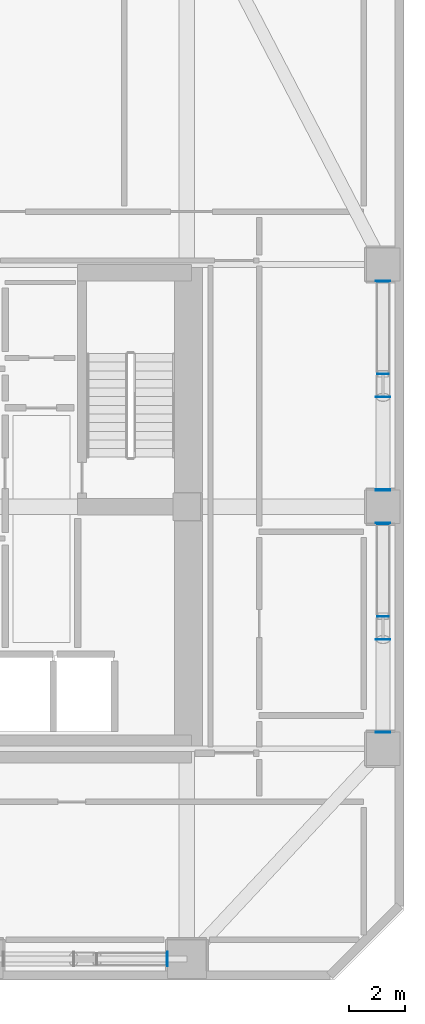
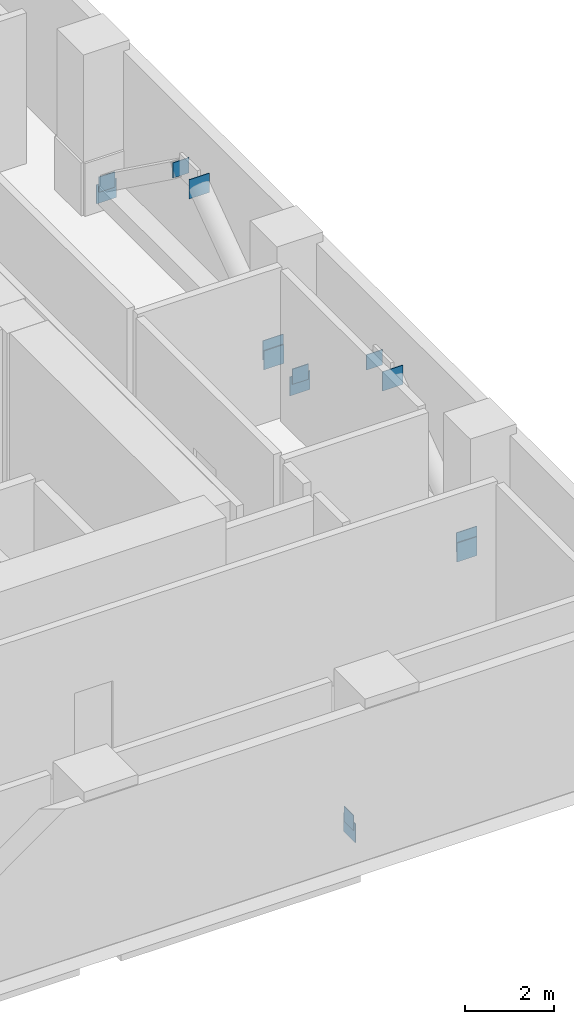
# One storey, part 5 of 11: 14 plates.
"""IFC4 building model written with IfcOpenShell, lengths in metres."""

from ifc_helpers import new_model, si_unit, direction, frame, origin, origin_2d, place, context, subcontext, project, spatial, rectangle, extrude, material, layer, layer_set, type_object, element, save


model = new_model("IFC4")

# Units and contexts
model_context = context("Model", 3, precision=1e-05, world=origin(), true_north=direction((0.0, 1.0)))
body_context = subcontext(model_context, "Body", "Model", "MODEL_VIEW")
ifc_project = project(units=[si_unit("LENGTHUNIT", "METRE"), si_unit("AREAUNIT", "SQUARE_METRE"), si_unit("VOLUMEUNIT", "CUBIC_METRE"), si_unit("PLANEANGLEUNIT", "RADIAN"), si_unit("MASSUNIT", "GRAM", prefix="KILO")], contexts=[model_context])

# Site, building, storey
site_placement = place(None, origin())
site = spatial("IfcSite", under=ifc_project, at=site_placement, CompositionType="ELEMENT")
building_placement = place(site_placement, origin())
building = spatial("IfcBuilding", under=site, at=building_placement, Name="Solanera Arch Residences", CompositionType="ELEMENT")
storey_placement = place(building_placement, frame((0.0, 0.0, 88.39990234375)))
storey = spatial("IfcBuildingStorey", under=building, at=storey_placement, Name="L25", CompositionType="ELEMENT", Elevation=88.39990234375)

# Plates
ifc_material = material(Name="Steel S355 (ASTM A992 / A572 Grade 50)", Category="steel")
ifc_layer = layer(ifc_material, 0.02001953125)
ifc_layer_set = layer_set([ifc_layer], Name="Steel S355 (ASTM A992 / A572 Grade 50)")
plate_type = type_object("IfcPlateType", Name="End Cap Plate EC-20", PredefinedType="USERDEFINED", material=ifc_layer_set)
plate_1_placement = place(storey_placement, frame((35.81005859375, 14.449951171875, 0.190185546875), z_axis=(0.0, 0.0, 1.0), x_axis=(1.0, 0.0, 0.0)))
element("IfcPlate", 1, at=plate_1_placement, inside=storey, type_object=plate_type, Name="Hollow Section End Cap 128", ObjectType="STIFFENER", PredefinedType="USERDEFINED", context=body_context, shape_type="SweptSolid", body=[
    extrude(rectangle(XDim=0.02001953125, YDim=0.52001953125, at=origin_2d()), origin(), (0.0, 0.0, 1.0), 0.52001953125),
])
plate_2_placement = place(storey_placement, frame((35.787109375, 14.449951171875, 0.503173828125), z_axis=(0.0, 0.0, 1.0), x_axis=(1.0, 0.0, 0.0)))
element("IfcPlate", 2, at=plate_2_placement, inside=storey, type_object=plate_type, Name="Hollow Section End Cap 131", ObjectType="STIFFENER", PredefinedType="USERDEFINED", context=body_context, shape_type="SweptSolid", body=[
    extrude(rectangle(XDim=0.02001953125, YDim=0.419921875, at=origin_2d()), origin(), (0.0, 0.0, 1.0), 0.419921875),
])
for number, where, z_axis, x_axis, name in (
    (3, (43.550048828125, 22.590087890625, 0.190185546875), (0.0, 0.0, 1.0), (0.0, -1.0, 0.0), "Hollow Section End Cap 157"),
    (4, (43.550048828125, 30.110107421875, 0.190185546875), (0.0, 0.0, 1.0), (0.0, 1.0, 0.0), "Hollow Section End Cap 158"),
):
    element("IfcPlate", number, at=place(storey_placement, frame(where, z_axis=z_axis, x_axis=x_axis)), inside=storey, type_object=plate_type, Name=name, ObjectType="STIFFENER", PredefinedType="USERDEFINED", context=body_context, shape_type="SweptSolid", body=[
        extrude(rectangle(XDim=0.02001953125, YDim=0.52001953125, at=origin_2d()), origin(), (0.0, 0.0, 1.0), 0.52001953125),
    ])
for number, where, z_axis, x_axis, name in (
    (5, (43.550048828125, 22.612060546875, 0.4501953125), (0.0, 0.0, 1.0), (0.0, -1.0, 0.0), "Hollow Section End Cap 159"),
    (6, (43.550048828125, 25.93798828125, 2.85693359375), (0.0, 0.0, 1.0), (0.0, 1.0, 0.0), "Hollow Section End Cap 160"),
):
    element("IfcPlate", number, at=place(storey_placement, frame(where, z_axis=z_axis, x_axis=x_axis)), inside=storey, type_object=plate_type, Name=name, ObjectType="STIFFENER", PredefinedType="USERDEFINED", context=body_context, shape_type="SweptSolid", body=[
        extrude(rectangle(XDim=0.02001953125, YDim=0.528076171875, at=origin_2d()), origin(), (0.0, 0.0, 1.0), 0.528076171875),
    ])
for number, where, z_axis, x_axis, name in (
    (7, (43.550048828125, 30.087890625, 0.504150390625), (0.0, 0.0, 1.0), (0.0, 1.0, 0.0), "Hollow Section End Cap 161"),
    (8, (43.550048828125, 26.761962890625, 2.9111328125), (0.0, 0.0, 1.0), (0.0, -1.0, 0.0), "Hollow Section End Cap 162"),
):
    element("IfcPlate", number, at=place(storey_placement, frame(where, z_axis=z_axis, x_axis=x_axis)), inside=storey, type_object=plate_type, Name=name, ObjectType="STIFFENER", PredefinedType="USERDEFINED", context=body_context, shape_type="SweptSolid", body=[
        extrude(rectangle(XDim=0.02001953125, YDim=0.419921875, at=origin_2d()), origin(), (0.0, 0.0, 1.0), 0.419921875),
    ])
for number, where, z_axis, x_axis, name in (
    (9, (43.550048828125, 31.2900390625, 0.190185546875), (0.0, 0.0, 1.0), (0.0, -1.0, 0.0), "Hollow Section End Cap 163"),
    (10, (43.550048828125, 38.81005859375, 0.190185546875), (0.0, 0.0, 1.0), (0.0, 1.0, 0.0), "Hollow Section End Cap 164"),
):
    element("IfcPlate", number, at=place(storey_placement, frame(where, z_axis=z_axis, x_axis=x_axis)), inside=storey, type_object=plate_type, Name=name, ObjectType="STIFFENER", PredefinedType="USERDEFINED", context=body_context, shape_type="SweptSolid", body=[
        extrude(rectangle(XDim=0.02001953125, YDim=0.52001953125, at=origin_2d()), origin(), (0.0, 0.0, 1.0), 0.52001953125),
    ])
for number, where, z_axis, x_axis, name in (
    (11, (43.550048828125, 31.31201171875, 0.4501953125), (0.0, 0.0, 1.0), (0.0, -1.0, 0.0), "Hollow Section End Cap 165"),
    (12, (43.550048828125, 34.637939453125, 2.85693359375), (0.0, 0.0, 1.0), (0.0, 1.0, 0.0), "Hollow Section End Cap 166"),
):
    element("IfcPlate", number, at=place(storey_placement, frame(where, z_axis=z_axis, x_axis=x_axis)), inside=storey, type_object=plate_type, Name=name, ObjectType="STIFFENER", PredefinedType="USERDEFINED", context=body_context, shape_type="SweptSolid", body=[
        extrude(rectangle(XDim=0.02001953125, YDim=0.528076171875, at=origin_2d()), origin(), (0.0, 0.0, 1.0), 0.528076171875),
    ])
for number, where, z_axis, x_axis, name in (
    (13, (43.550048828125, 38.7880859375, 0.504150390625), (0.0, 0.0, 1.0), (0.0, 1.0, 0.0), "Hollow Section End Cap 167"),
    (14, (43.550048828125, 35.4619140625, 2.9111328125), (0.0, 0.0, 1.0), (0.0, -1.0, 0.0), "Hollow Section End Cap 168"),
):
    element("IfcPlate", number, at=place(storey_placement, frame(where, z_axis=z_axis, x_axis=x_axis)), inside=storey, type_object=plate_type, Name=name, ObjectType="STIFFENER", PredefinedType="USERDEFINED", context=body_context, shape_type="SweptSolid", body=[
        extrude(rectangle(XDim=0.02001953125, YDim=0.419921875, at=origin_2d()), origin(), (0.0, 0.0, 1.0), 0.419921875),
    ])

save(model, "model.ifc")
